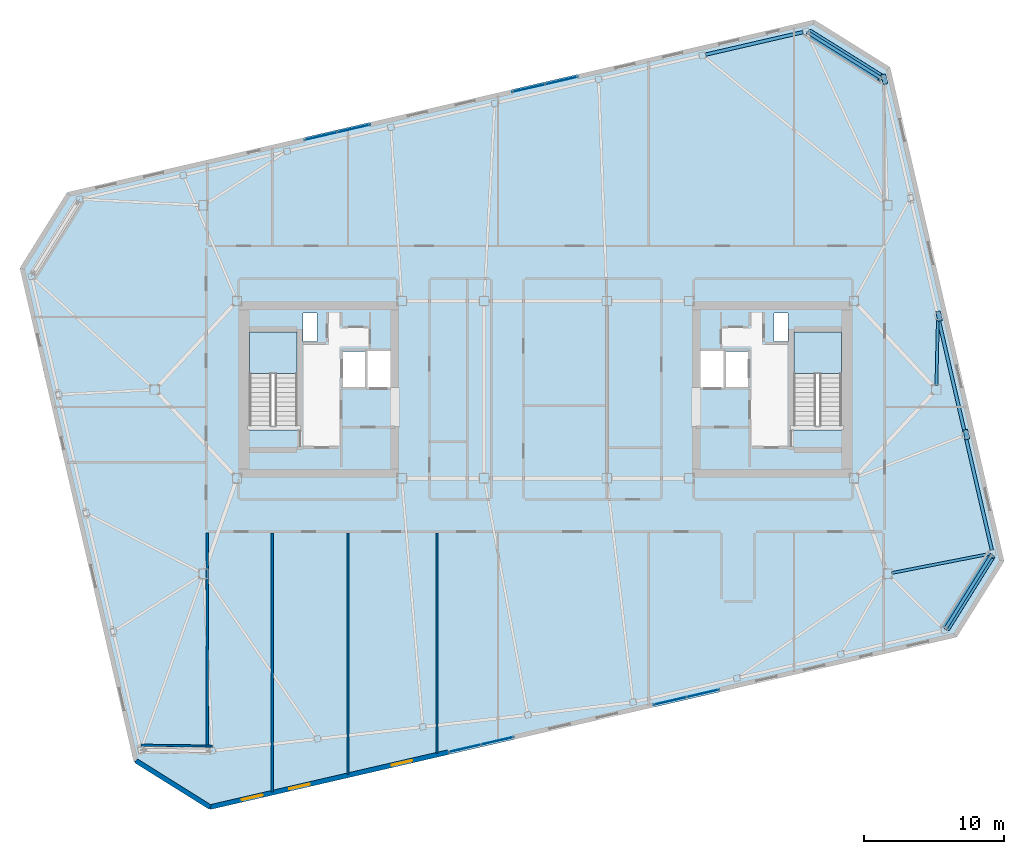
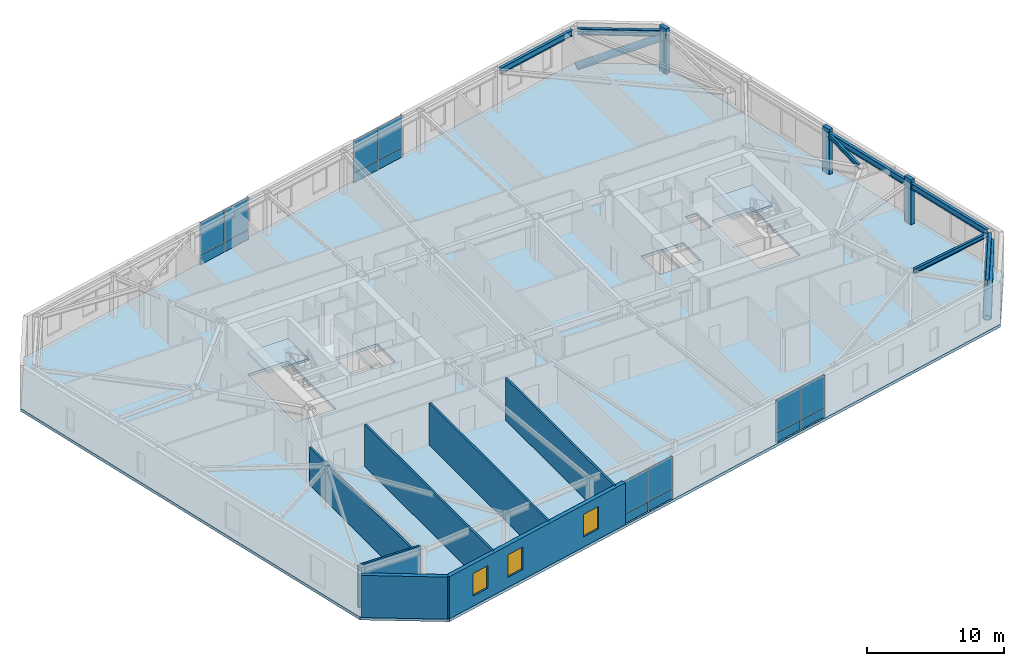
# One storey, part 15 of 23: 16 plates, 7 beams, 7 walls, 5 members, 3 slabs, 3 windows, 3 openings, 6 elements without a shape of their own.
"""IFC4 building model written with IfcOpenShell, lengths in metres."""

import ifcopenshell
import ifcopenshell.guid

model = None  # the IFC model being written
_history = None  # IfcOwnerHistory: only IFC2X3 demands one
_inside = {}  # id of a spatial element -> (the spatial element, [elements in it])
_under = {}  # id of a project, library or spatial element -> (it, [spatial elements below it])
_declared = {}  # id of a project -> (the project, [libraries it declares])
_typed = {}  # id of a type object -> (the type object, [elements of that type])
_made_of = {}  # id of a material, layer set ... -> (it, [elements and type objects made of it])


def new_model(schema):
    """Start an empty IFC model of exactly this schema.

    Asked for "IFC4X3", IfcOpenShell would pick the latest addendum, in which some entities
    have other attributes; the version numbers below select the first issue.
    IFC2X3 requires an IfcOwnerHistory on every rooted entity: one is made here for all.
    """
    global model, _history
    if schema == "IFC4X3":
        model = ifcopenshell.file(schema_version=(4, 3, 0, 0))
    else:
        model = ifcopenshell.file(schema=schema)
    _inside.clear()
    _under.clear()
    _declared.clear()
    _typed.clear()
    _made_of.clear()
    _history = None
    if model.schema == "IFC2X3":
        org = make("IfcOrganization", Name="unknown")
        user = make(
            "IfcPersonAndOrganization",
            ThePerson=make("IfcPerson", FamilyName="unknown"),
            TheOrganization=org,
        )
        app = make(
            "IfcApplication",
            ApplicationDeveloper=org,
            Version="unknown",
            ApplicationFullName="unknown",
            ApplicationIdentifier="unknown",
        )
        _history = make(
            "IfcOwnerHistory",
            OwningUser=user,
            OwningApplication=app,
            ChangeAction="ADDED",
            CreationDate=0,
        )
    return model


def make(cls, **values):
    """One entity of the class cls with the attributes given. An attribute that is None is left unset."""
    return model.create_entity(
        cls, **{name: value for name, value in values.items() if value is not None}
    )


def rooted(cls, **values):
    """An entity with a GlobalId (a new one), such as an element, a storey or a relation."""
    return make(cls, GlobalId=ifcopenshell.guid.new(), OwnerHistory=_history, **values)


def si_unit(unit_type, name, prefix=None):
    """IfcSIUnit, for example si_unit("LENGTHUNIT", "METRE", prefix="MILLI")."""
    return make("IfcSIUnit", UnitType=unit_type, Prefix=prefix, Name=name)


def assignment(units):
    """IfcUnitAssignment: the units of a project."""
    return None if units is None else make("IfcUnitAssignment", Units=units)


def point(xyz):
    """IfcCartesianPoint."""
    return None if xyz is None else make("IfcCartesianPoint", Coordinates=xyz)


def direction(xyz):
    """IfcDirection."""
    return None if xyz is None else make("IfcDirection", DirectionRatios=xyz)


def frame(location, z_axis=None, x_axis=None):
    """IfcAxis2Placement3D, a coordinate frame: its origin and axes. An axis left out is left unset."""
    return make(
        "IfcAxis2Placement3D",
        Location=point(location),
        Axis=direction(z_axis),
        RefDirection=direction(x_axis),
    )


def frame_2d(location, x_axis=None):
    """IfcAxis2Placement2D, a coordinate frame in the plane: its origin and x axis."""
    return make(
        "IfcAxis2Placement2D", Location=point(location), RefDirection=direction(x_axis)
    )


def origin():
    """The frame at (0, 0, 0) with its axes left unset."""
    return frame((0.0, 0.0, 0.0))


def origin_2d():
    """The frame at (0, 0) in the plane with its x axis left unset."""
    return frame_2d((0.0, 0.0))


def place(relative_to, where):
    """IfcLocalPlacement: puts the frame where relative to a parent placement (None: the world)."""
    return make(
        "IfcLocalPlacement", PlacementRelTo=relative_to, RelativePlacement=where
    )


def context(
    kind, dimensions, precision=None, world=None, true_north=None, identifier=None
):
    """IfcGeometricRepresentationContext, for example the 3D "Model" context."""
    return make(
        "IfcGeometricRepresentationContext",
        ContextIdentifier=identifier,
        ContextType=kind,
        CoordinateSpaceDimension=dimensions,
        Precision=precision,
        WorldCoordinateSystem=world,
        TrueNorth=true_north,
    )


def subcontext(parent, identifier, kind, view, scale=None):
    """IfcGeometricRepresentationSubContext, for example "Body" below "Model"."""
    return make(
        "IfcGeometricRepresentationSubContext",
        ContextIdentifier=identifier,
        ContextType=kind,
        ParentContext=parent,
        TargetScale=scale,
        TargetView=view,
    )


def project(units=None, contexts=None):
    """IfcProject with its units and contexts."""
    return rooted(
        "IfcProject",
        Name="project",
        RepresentationContexts=contexts,
        UnitsInContext=assignment(units),
    )


def spatial(cls, under=None, at=None, **own):
    """A site, building, storey or space (cls), placed at a placement, below another one or the project."""
    s = rooted(cls, ObjectPlacement=at, **own)
    if under is not None:
        _under.setdefault(under.id(), (under, []))[1].append(s)
    return s


def polyline(points):
    """IfcPolyline through the points."""
    return make("IfcPolyline", Points=[point(p) for p in points])


def profile(cls, at=None, kind="AREA", **sizes):
    """A parametric profile (cls). Its sizes go by their IFC names, for example OverallWidth=200.0."""
    return make(cls, ProfileType=kind, Position=at, **sizes)


def rectangle(**sizes):
    """IfcRectangleProfileDef."""
    return profile("IfcRectangleProfileDef", **sizes)


def hollow_circle(**sizes):
    """IfcCircleHollowProfileDef."""
    return profile("IfcCircleHollowProfileDef", **sizes)


def i_section(**sizes):
    """IfcIShapeProfileDef."""
    return profile("IfcIShapeProfileDef", **sizes)


def outline(outer, holes=None, kind="AREA"):
    """IfcArbitraryClosedProfileDef: a profile drawn as a closed curve; with holes, ...WithVoids."""
    if holes is None:
        return make("IfcArbitraryClosedProfileDef", ProfileType=kind, OuterCurve=outer)
    return make(
        "IfcArbitraryProfileDefWithVoids",
        ProfileType=kind,
        OuterCurve=outer,
        InnerCurves=holes,
    )


def extrude(swept, where, along, depth):
    """IfcExtrudedAreaSolid: the profile swept, set in the frame where, extruded along a direction by depth."""
    return make(
        "IfcExtrudedAreaSolid",
        SweptArea=swept,
        Position=where,
        ExtrudedDirection=direction(along),
        Depth=depth,
    )


def shape(context_of_items, identifier, shape_type, items):
    """IfcShapeRepresentation: the items that make up one representation, for example the "Body"."""
    return make(
        "IfcShapeRepresentation",
        ContextOfItems=context_of_items,
        RepresentationIdentifier=identifier,
        RepresentationType=shape_type,
        Items=items,
    )


def material(Name=None, Category=None):
    """IfcMaterial."""
    return make("IfcMaterial", Name=Name, Category=Category)


def layer(
    of_material, thickness, ventilated=None, Name=None, Category=None, Priority=None
):
    """IfcMaterialLayer: one layer of a wall or slab, of a material (None: an air gap)."""
    return make(
        "IfcMaterialLayer",
        Material=of_material,
        LayerThickness=thickness,
        IsVentilated=ventilated,
        Name=Name,
        Category=Category,
        Priority=Priority,
    )


def layer_set(layers, Name=None):
    """IfcMaterialLayerSet."""
    return make("IfcMaterialLayerSet", MaterialLayers=layers, LayerSetName=Name)


def material_profile(
    of_material, cross_section, Name=None, Category=None, Priority=None
):
    """IfcMaterialProfile: a cross section and its material."""
    return make(
        "IfcMaterialProfile",
        Name=Name,
        Material=of_material,
        Profile=cross_section,
        Priority=Priority,
        Category=Category,
    )


def profile_set(profiles, Name=None, composite=None):
    """IfcMaterialProfileSet."""
    return make(
        "IfcMaterialProfileSet",
        Name=Name,
        MaterialProfiles=profiles,
        CompositeProfile=composite,
    )


def made_of(thing, what):
    """Note that an element or type object is made of a material, layer set ...; save() writes the relation."""
    if what is not None:
        _made_of.setdefault(what.id(), (what, []))[1].append(thing)
    return thing


def type_object(cls, material=None, **own):
    """A type object (cls), such as IfcWallType, which elements share."""
    return made_of(rooted(cls, **own), material)


def element(
    cls,
    number,
    at=None,
    inside=None,
    cuts=None,
    type_object=None,
    material=None,
    context=None,
    identifier="Body",
    shape_type=None,
    held_by="IfcProductDefinitionShape",
    body=None,
    shapes=None,
    **own,
):
    """One element of the class cls, such as IfcWall. Its Tag is "e" and its number.

    at: its placement. inside: the storey or other place that contains it. cuts: it is an
    opening in that element (IfcRelVoidsElement). A single representation is given by context,
    identifier, shape_type and body (its items); several are given by shapes. held_by: the class
    of the entity that holds the representations. save() writes the other relations.
    """
    e = rooted(cls, Tag="e%d" % number, ObjectPlacement=at, **own)
    if body is not None:
        shapes = [shape(context, identifier, shape_type, body)]
    if shapes is not None:
        e.Representation = make(held_by, Representations=shapes)
    if inside is not None:
        _inside.setdefault(inside.id(), (inside, []))[1].append(e)
    if cuts is not None:
        rooted(
            "IfcRelVoidsElement", RelatingBuildingElement=cuts, RelatedOpeningElement=e
        )
    if type_object is not None:
        _typed.setdefault(type_object.id(), (type_object, []))[1].append(e)
    return made_of(e, material)


def fill(opening, filler):
    """IfcRelFillsElement: the door or window that sits in an opening."""
    return rooted(
        "IfcRelFillsElement",
        RelatingOpeningElement=opening,
        RelatedBuildingElement=filler,
    )


def aggregate(whole, parts):
    """IfcRelAggregates: a whole, such as a stair, and the parts it consists of."""
    return rooted("IfcRelAggregates", RelatingObject=whole, RelatedObjects=parts)


def save(model, path):
    """Write the relations noted so far, then the file.

    IfcRelAggregates (storeys below a building ...), IfcRelContainedInSpatialStructure (elements
    in a storey), IfcRelDefinesByType, IfcRelAssociatesMaterial and IfcRelDeclares: one each for
    every whole, place, type object, material and project.
    """
    for whole, parts in _under.values():
        aggregate(whole, parts)
    for where, things in _inside.values():
        rooted(
            "IfcRelContainedInSpatialStructure",
            RelatedElements=things,
            RelatingStructure=where,
        )
    for kind, things in _typed.values():
        rooted("IfcRelDefinesByType", RelatedObjects=things, RelatingType=kind)
    for what, things in _made_of.values():
        rooted("IfcRelAssociatesMaterial", RelatedObjects=things, RelatingMaterial=what)
    for by, libraries in _declared.values():
        rooted("IfcRelDeclares", RelatingContext=by, RelatedDefinitions=libraries)
    model.write(path)


model = new_model("IFC4")

# Units and contexts
model_context = context("Model", 3, precision=1e-05, world=origin(), true_north=direction((0.0, 1.0)))
body_context = subcontext(model_context, "Body", "Model", "MODEL_VIEW")
ifc_project = project(units=[si_unit("LENGTHUNIT", "METRE"), si_unit("AREAUNIT", "SQUARE_METRE"), si_unit("VOLUMEUNIT", "CUBIC_METRE"), si_unit("PLANEANGLEUNIT", "RADIAN"), si_unit("MASSUNIT", "GRAM", prefix="KILO")], contexts=[model_context])

# Site, building, storey
site_placement = place(None, origin())
site = spatial("IfcSite", under=ifc_project, at=site_placement, CompositionType="ELEMENT")
building_placement = place(site_placement, origin())
building = spatial("IfcBuilding", under=site, at=building_placement, Name="Tavrogorsk Clinical Tower", CompositionType="ELEMENT")
storey_placement = place(building_placement, frame((0.0, 0.0, 297.0)))
storey = spatial("IfcBuildingStorey", under=building, at=storey_placement, Name="L69", CompositionType="ELEMENT", Elevation=297.0)

# Members
ifc_material_1 = material(Name="Structural steel S440", Category="steel")
ifc_material_profile_1 = material_profile(ifc_material_1, hollow_circle(Radius=0.304931640625, WallThickness=0.02490234375, at=origin_2d()), Name="CHS-610x25")
ifc_profile_set_1 = profile_set([ifc_material_profile_1], Name="Structural steel S440")
member_type_1 = type_object("IfcMemberType", Name="ExoBrace_CHS610", PredefinedType="BRACE", material=ifc_profile_set_1)
for number, where, z_axis, x_axis, name in (
    (1, (28.70166015625, -17.063720703125, 0.393310546875), (0.485685891885, 0.777193135924, 0.40010004236), (-0.848027637525, 0.529952003481, 0.0), "L69 Corner Exoskeleton Brace S8-E1"),
    (2, (18.86279296875, 25.55322265625, 0.393310546875), (0.777221605895, -0.485643868835, 0.400095748531), (0.529905066536, 0.848056967697, 0.0), "L69 Corner Exoskeleton Brace E5-N1"),
):
    element("IfcMember", number, at=place(storey_placement, frame(where, z_axis=z_axis, x_axis=x_axis)), inside=storey, type_object=member_type_1, Name=name, PredefinedType="BRACE", context=body_context, shape_type="SweptSolid", body=[
        extrude(hollow_circle(Radius=0.304931640625, WallThickness=0.02490234375, at=origin_2d()), origin(), (0.0, 0.0, 1.0), 6.63232421875),
    ])

# Beams
ifc_material_2 = material(Name="Structural steel S355", Category="steel")
ifc_material_profile_2 = material_profile(ifc_material_2, i_section(OverallWidth=0.199951171875, OverallDepth=0.39990234375, WebThickness=0.010498046875, FlangeThickness=0.01611328125, at=origin_2d()), Name="B-400x200x10.5x16")
ifc_profile_set_2 = profile_set([ifc_material_profile_2], Name="Structural steel S355")
beam_type_1 = type_object("IfcBeamType", Name="FloorBeam_B400", PredefinedType="BEAM", material=ifc_profile_set_2)
beam_1_placement = place(storey_placement, frame((24.80419921875, -13.140625, 3.5400390625), z_axis=(0.981451198395, 0.191712141424, 0.0), x_axis=(-0.191712141424, 0.981451198395, 0.0)))
element("IfcBeam", 3, at=beam_1_placement, inside=storey, type_object=beam_type_1, Name="L69 Radial Floor Beam E1", PredefinedType="BEAM", context=body_context, shape_type="SweptSolid", body=[
    extrude(i_section(OverallWidth=0.199951171875, OverallDepth=0.39990234375, WebThickness=0.010498046875, FlangeThickness=0.01611328125, at=origin_2d()), origin(), (0.0, 0.0, 1.0), 7.13525390625),
])
beam_2_placement = place(storey_placement, frame((28.0068359375, 0.309814453125, 3.5400390625), z_axis=(0.022370062613, 0.999749758839, 0.0), x_axis=(-0.999749758839, 0.022370062613, 0.0)))
element("IfcBeam", 4, at=beam_2_placement, inside=storey, type_object=beam_type_1, Name="L69 Radial Floor Beam E3", PredefinedType="BEAM", context=body_context, shape_type="SweptSolid", body=[
    extrude(i_section(OverallWidth=0.199951171875, OverallDepth=0.39990234375, WebThickness=0.010498046875, FlangeThickness=0.01611328125, at=origin_2d()), origin(), (0.0, 0.0, 1.0), 4.703857421875),
])

# Members
ifc_material_3 = material(Name="Precast concrete B45 with limestone cladding", Category="masonry")
ifc_material_profile_3 = material_profile(ifc_material_3, rectangle(XDim=0.320068359375, YDim=0.719970703125, at=origin_2d()), Name="LIMESTONE-FIN-320x720")
ifc_profile_set_3 = profile_set([ifc_material_profile_3], Name="Precast concrete B45 with limestone cladding")
member_type_2 = type_object("IfcMemberType", Name="LimestonePleatFin_320x720", PredefinedType="USERDEFINED", material=ifc_profile_set_3)
for number, where, z_axis, x_axis, name in (
    (5, (30.154541015625, -3.223388671875, 0.0), (0.0, 0.0, 1.0), (0.974370064785, 0.224951054344, 0.0), "L69 E Pleated Stone Fin 1"),
    (6, (28.1953125, 5.263427734375, 0.0), (0.0, 0.0, 1.0), (0.974370064785, 0.224951054344, 0.0), "L69 E Pleated Stone Fin 2"),
    (7, (24.276611328125, 22.237060546875, 0.0), (0.0, 0.0, 1.0), (0.974370064785, 0.224951054344, 0.0), "L69 E Pleated Stone Fin 4"),
):
    element("IfcMember", number, at=place(storey_placement, frame(where, z_axis=z_axis, x_axis=x_axis)), inside=storey, type_object=member_type_2, Name=name, ObjectType="FIN", PredefinedType="USERDEFINED", context=body_context, shape_type="SweptSolid", body=[
        extrude(rectangle(XDim=0.320068359375, YDim=0.719970703125, at=origin_2d()), origin(), (0.0, 0.0, 1.0), 4.0),
    ])

# Beams
ifc_material_4 = material(Name="Structural steel S390", Category="steel")
ifc_material_profile_4 = material_profile(ifc_material_4, i_section(OverallWidth=0.239990234375, OverallDepth=0.550048828125, WebThickness=0.013916015625, FlangeThickness=0.02197265625, at=origin_2d()), Name="B-550x240x14x22")
ifc_profile_set_4 = profile_set([ifc_material_profile_4], Name="Structural steel S390")
beam_type_2 = type_object("IfcBeamType", Name="SpandrelBeam_B550", PredefinedType="SPANDREL", material=ifc_profile_set_4)
beam_3_placement = place(storey_placement, frame((28.712158203125, -17.04736328125, 3.465087890625), z_axis=(0.529904457892, 0.848057348006, 0.0), x_axis=(-0.848057348006, 0.529904457892, 0.0)))
element("IfcBeam", 8, at=beam_3_placement, inside=storey, type_object=beam_type_2, Name="L69 Perimeter Spandrel S8-E1", PredefinedType="SPANDREL", context=body_context, shape_type="SweptSolid", body=[
    extrude(i_section(OverallWidth=0.239990234375, OverallDepth=0.550048828125, WebThickness=0.013916015625, FlangeThickness=0.02197265625, at=origin_2d()), origin(), (0.0, 0.0, 1.0), 6.039306640625),
])
for number, where, z_axis, x_axis, name in (
    (9, (31.9833984375, -11.5009765625, 3.465087890625), (-0.224950345141, 0.974370228517, 0.0), (-0.974370228517, -0.224950345141, 0.0), "L69 Perimeter Spandrel E1-E2"),
    (10, (30.024169921875, -3.01416015625, 3.465087890625), (-0.224950345141, 0.974370228517, 0.0), (-0.974370228517, -0.224950345141, 0.0), "L69 Perimeter Spandrel E2-E3"),
):
    element("IfcBeam", number, at=place(storey_placement, frame(where, z_axis=z_axis, x_axis=x_axis)), inside=storey, type_object=beam_type_2, Name=name, PredefinedType="SPANDREL", context=body_context, shape_type="SweptSolid", body=[
        extrude(i_section(OverallWidth=0.239990234375, OverallDepth=0.550048828125, WebThickness=0.013916015625, FlangeThickness=0.02197265625, at=origin_2d()), origin(), (0.0, 0.0, 1.0), 8.243896484375),
    ])
beam_4_placement = place(storey_placement, frame((24.0009765625, 22.342529296875, 3.465087890625), z_axis=(-0.848057348006, 0.529904457892, 0.0), x_axis=(-0.529904457892, -0.848057348006, 0.0)))
element("IfcBeam", 11, at=beam_4_placement, inside=storey, type_object=beam_type_2, Name="L69 Perimeter Spandrel E5-N1", PredefinedType="SPANDREL", context=body_context, shape_type="SweptSolid", body=[
    extrude(i_section(OverallWidth=0.239990234375, OverallDepth=0.550048828125, WebThickness=0.013916015625, FlangeThickness=0.02197265625, at=origin_2d()), origin(), (0.0, 0.0, 1.0), 6.039306640625),
])
beam_5_placement = place(storey_placement, frame((18.45458984375, 25.61376953125, 3.465087890625), z_axis=(-0.974375120167, -0.224929155956, 0.0), x_axis=(0.224929155956, -0.974375120167, 0.0)))
element("IfcBeam", 12, at=beam_5_placement, inside=storey, type_object=beam_type_2, Name="L69 Perimeter Spandrel N1-N2", PredefinedType="SPANDREL", context=body_context, shape_type="SweptSolid", body=[
    extrude(i_section(OverallWidth=0.239990234375, OverallDepth=0.550048828125, WebThickness=0.013916015625, FlangeThickness=0.02197265625, at=origin_2d()), origin(), (0.0, 0.0, 1.0), 7.16796875),
])

# Curtain wall, plates
ifc_material_5 = material(Name="Anodised aluminium and triple IGU glazing", Category="aluminium")
ifc_layer_1 = layer(ifc_material_5, 0.179931640625)
ifc_layer_set_1 = layer_set([ifc_layer_1], Name="Anodised aluminium and triple IGU glazing")
curtain_wall_type_1 = type_object("IfcCurtainWallType", Name="CW3_SouthSlot", PredefinedType="NOTDEFINED", material=ifc_layer_set_1)
curtain_wall_1_placement = place(storey_placement, origin())
curtain_wall_1 = element("IfcCurtainWall", 13, at=curtain_wall_1_placement, inside=storey, type_object=curtain_wall_type_1, Name="L69 Curtain Wall CW-L69-S-SLOT-1", PredefinedType="NOTDEFINED")
ifc_material_6 = material(Name="Honed Podolsk limestone spandrel panel", Category="masonry")
ifc_layer_2 = layer(ifc_material_6, 0.080078125)
ifc_layer_set_2 = layer_set([ifc_layer_2], Name="Honed Podolsk limestone spandrel panel")
plate_type_1 = type_object("IfcPlateType", Name="CwSpandrelStonePanel_80", PredefinedType="CURTAIN_PANEL", material=ifc_layer_set_2)
plate_1_placement = place(storey_placement, frame((-5.810546875, -25.7099609375, 0.001953125), z_axis=(0.0, 0.0, 1.0), x_axis=(0.974370057377, 0.224951086434, 0.0)))
plate_1 = element("IfcPlate", 14, at=plate_1_placement, type_object=plate_type_1, Name="CW-L69-S-SLOT-1 Stone Spandrel Panel 1", PredefinedType="CURTAIN_PANEL", context=body_context, shape_type="SweptSolid", body=[
    extrude(rectangle(XDim=2.39208984375, YDim=0.080078125, at=origin_2d()), origin(), (0.0, 0.0, 1.0), 0.8359375),
])
plate_2_placement = place(storey_placement, frame((-3.45654296875, -25.16650390625, 0.001953125), z_axis=(0.0, 0.0, 1.0), x_axis=(0.974370057377, 0.224951086434, 0.0)))
plate_2 = element("IfcPlate", 15, at=plate_2_placement, type_object=plate_type_1, Name="CW-L69-S-SLOT-1 Stone Spandrel Panel 2", PredefinedType="CURTAIN_PANEL", context=body_context, shape_type="SweptSolid", body=[
    extrude(rectangle(XDim=2.39208984375, YDim=0.080078125, at=origin_2d()), origin(), (0.0, 0.0, 1.0), 0.8359375),
])

curtain_wall_2_placement = place(storey_placement, origin())
curtain_wall_2 = element("IfcCurtainWall", 16, at=curtain_wall_2_placement, inside=storey, type_object=curtain_wall_type_1, Name="L69 Curtain Wall CW-L69-S-SLOT-2", PredefinedType="NOTDEFINED")
plate_3_placement = place(storey_placement, frame((8.9296875, -22.306884765625, 0.001953125), z_axis=(0.0, 0.0, 1.0), x_axis=(0.974370057377, 0.224951086434, 0.0)))
plate_3 = element("IfcPlate", 17, at=plate_3_placement, type_object=plate_type_1, Name="CW-L69-S-SLOT-2 Stone Spandrel Panel 1", PredefinedType="CURTAIN_PANEL", context=body_context, shape_type="SweptSolid", body=[
    extrude(rectangle(XDim=2.39208984375, YDim=0.080078125, at=origin_2d()), origin(), (0.0, 0.0, 1.0), 0.8359375),
])
plate_4_placement = place(storey_placement, frame((11.28369140625, -21.763427734375, 0.001953125), z_axis=(0.0, 0.0, 1.0), x_axis=(0.974370057377, 0.224951086434, 0.0)))
plate_4 = element("IfcPlate", 18, at=plate_4_placement, type_object=plate_type_1, Name="CW-L69-S-SLOT-2 Stone Spandrel Panel 2", PredefinedType="CURTAIN_PANEL", context=body_context, shape_type="SweptSolid", body=[
    extrude(rectangle(XDim=2.39208984375, YDim=0.080078125, at=origin_2d()), origin(), (0.0, 0.0, 1.0), 0.8359375),
])

ifc_material_7 = material(Name="Anodised aluminium and triple IGU glazing", Category="aluminium")
ifc_layer_3 = layer(ifc_material_7, 0.179931640625)
ifc_layer_set_3 = layer_set([ifc_layer_3], Name="Anodised aluminium and triple IGU glazing")
curtain_wall_type_2 = type_object("IfcCurtainWallType", Name="CW2_NorthSlot", PredefinedType="NOTDEFINED", material=ifc_layer_set_3)
curtain_wall_3_placement = place(storey_placement, origin())
curtain_wall_3 = element("IfcCurtainWall", 19, at=curtain_wall_3_placement, inside=storey, type_object=curtain_wall_type_2, Name="L69 Curtain Wall CW-L69-N-SLOT-1", PredefinedType="NOTDEFINED")
plate_5_placement = place(storey_placement, frame((-13.729736328125, 18.70703125, 0.001953125), z_axis=(0.0, 0.0, 1.0), x_axis=(-0.974370057377, -0.224951086434, 0.0)))
plate_5 = element("IfcPlate", 20, at=plate_5_placement, type_object=plate_type_1, Name="CW-L69-N-SLOT-1 Stone Spandrel Panel 1", PredefinedType="CURTAIN_PANEL", context=body_context, shape_type="SweptSolid", body=[
    extrude(rectangle(XDim=2.39208984375, YDim=0.080078125, at=origin_2d()), origin(), (0.0, 0.0, 1.0), 0.8359375),
])
plate_6_placement = place(storey_placement, frame((-16.083740234375, 18.16357421875, 0.001953125), z_axis=(0.0, 0.0, 1.0), x_axis=(-0.974370057377, -0.224951086434, 0.0)))
plate_6 = element("IfcPlate", 21, at=plate_6_placement, type_object=plate_type_1, Name="CW-L69-N-SLOT-1 Stone Spandrel Panel 2", PredefinedType="CURTAIN_PANEL", context=body_context, shape_type="SweptSolid", body=[
    extrude(rectangle(XDim=2.39208984375, YDim=0.080078125, at=origin_2d()), origin(), (0.0, 0.0, 1.0), 0.8359375),
])

curtain_wall_4_placement = place(storey_placement, origin())
curtain_wall_4 = element("IfcCurtainWall", 22, at=curtain_wall_4_placement, inside=storey, type_object=curtain_wall_type_2, Name="L69 Curtain Wall CW-L69-N-SLOT-2", PredefinedType="NOTDEFINED")
plate_7_placement = place(storey_placement, frame((1.1474609375, 22.1416015625, 0.001953125), z_axis=(0.0, 0.0, 1.0), x_axis=(-0.974370092441, -0.224950934554, 0.0)))
plate_7 = element("IfcPlate", 23, at=plate_7_placement, type_object=plate_type_1, Name="CW-L69-N-SLOT-2 Stone Spandrel Panel 1", PredefinedType="CURTAIN_PANEL", context=body_context, shape_type="SweptSolid", body=[
    extrude(rectangle(XDim=2.39208984375, YDim=0.080078125, at=origin_2d()), origin(), (0.0, 0.0, 1.0), 0.8359375),
])
plate_8_placement = place(storey_placement, frame((-1.20654296875, 21.59814453125, 0.001953125), z_axis=(0.0, 0.0, 1.0), x_axis=(-0.974370092441, -0.224950934554, 0.0)))
plate_8 = element("IfcPlate", 24, at=plate_8_placement, type_object=plate_type_1, Name="CW-L69-N-SLOT-2 Stone Spandrel Panel 2", PredefinedType="CURTAIN_PANEL", context=body_context, shape_type="SweptSolid", body=[
    extrude(rectangle(XDim=2.39208984375, YDim=0.080078125, at=origin_2d()), origin(), (0.0, 0.0, 1.0), 0.8359375),
])

# Plate
ifc_material_8 = material(Name="Triple low-E argon insulated glass", Category="glass")
ifc_layer_4 = layer(ifc_material_8, 0.048095703125)
ifc_layer_set_4 = layer_set([ifc_layer_4], Name="Triple low-E argon insulated glass")
plate_type_2 = type_object("IfcPlateType", Name="CwVisionGlassPanel_48", PredefinedType="CURTAIN_PANEL", material=ifc_layer_set_4)
plate_9_placement = place(storey_placement, frame((-5.810546875, -25.7099609375, 0.862060546875), z_axis=(0.0, 0.0, 1.0), x_axis=(0.974370057377, 0.224951086434, 0.0)))
plate_9 = element("IfcPlate", 25, at=plate_9_placement, type_object=plate_type_2, Name="CW-L69-S-SLOT-1 Glazing Panel 1", PredefinedType="CURTAIN_PANEL", context=body_context, shape_type="SweptSolid", body=[
    extrude(rectangle(XDim=2.39208984375, YDim=0.048095703125, at=origin_2d()), origin(), (0.0, 0.0, 1.0), 2.8759765625),
])

plate_10_placement = place(storey_placement, frame((-3.45654296875, -25.16650390625, 0.862060546875), z_axis=(0.0, 0.0, 1.0), x_axis=(0.974370057377, 0.224951086434, 0.0)))
plate_10 = element("IfcPlate", 26, at=plate_10_placement, type_object=plate_type_2, Name="CW-L69-S-SLOT-1 Glazing Panel 2", PredefinedType="CURTAIN_PANEL", context=body_context, shape_type="SweptSolid", body=[
    extrude(rectangle(XDim=2.39208984375, YDim=0.048095703125, at=origin_2d()), origin(), (0.0, 0.0, 1.0), 2.8759765625),
])

aggregate(curtain_wall_1, [plate_1, plate_9, plate_2, plate_10])

plate_11_placement = place(storey_placement, frame((8.9296875, -22.306884765625, 0.862060546875), z_axis=(0.0, 0.0, 1.0), x_axis=(0.974370057377, 0.224951086434, 0.0)))
plate_11 = element("IfcPlate", 27, at=plate_11_placement, type_object=plate_type_2, Name="CW-L69-S-SLOT-2 Glazing Panel 1", PredefinedType="CURTAIN_PANEL", context=body_context, shape_type="SweptSolid", body=[
    extrude(rectangle(XDim=2.39208984375, YDim=0.048095703125, at=origin_2d()), origin(), (0.0, 0.0, 1.0), 2.8759765625),
])

plate_12_placement = place(storey_placement, frame((11.28369140625, -21.763427734375, 0.862060546875), z_axis=(0.0, 0.0, 1.0), x_axis=(0.974370057377, 0.224951086434, 0.0)))
plate_12 = element("IfcPlate", 28, at=plate_12_placement, type_object=plate_type_2, Name="CW-L69-S-SLOT-2 Glazing Panel 2", PredefinedType="CURTAIN_PANEL", context=body_context, shape_type="SweptSolid", body=[
    extrude(rectangle(XDim=2.39208984375, YDim=0.048095703125, at=origin_2d()), origin(), (0.0, 0.0, 1.0), 2.8759765625),
])

aggregate(curtain_wall_2, [plate_3, plate_11, plate_4, plate_12])

plate_13_placement = place(storey_placement, frame((-13.729736328125, 18.70703125, 0.862060546875), z_axis=(0.0, 0.0, 1.0), x_axis=(-0.974370057377, -0.224951086434, 0.0)))
plate_13 = element("IfcPlate", 29, at=plate_13_placement, type_object=plate_type_2, Name="CW-L69-N-SLOT-1 Glazing Panel 1", PredefinedType="CURTAIN_PANEL", context=body_context, shape_type="SweptSolid", body=[
    extrude(rectangle(XDim=2.39208984375, YDim=0.048095703125, at=origin_2d()), origin(), (0.0, 0.0, 1.0), 2.8759765625),
])

plate_14_placement = place(storey_placement, frame((-16.083740234375, 18.16357421875, 0.862060546875), z_axis=(0.0, 0.0, 1.0), x_axis=(-0.974370057377, -0.224951086434, 0.0)))
plate_14 = element("IfcPlate", 30, at=plate_14_placement, type_object=plate_type_2, Name="CW-L69-N-SLOT-1 Glazing Panel 2", PredefinedType="CURTAIN_PANEL", context=body_context, shape_type="SweptSolid", body=[
    extrude(rectangle(XDim=2.39208984375, YDim=0.048095703125, at=origin_2d()), origin(), (0.0, 0.0, 1.0), 2.8759765625),
])

aggregate(curtain_wall_3, [plate_5, plate_13, plate_6, plate_14])

plate_15_placement = place(storey_placement, frame((1.1474609375, 22.1416015625, 0.862060546875), z_axis=(0.0, 0.0, 1.0), x_axis=(-0.974370092441, -0.224950934554, 0.0)))
plate_15 = element("IfcPlate", 31, at=plate_15_placement, type_object=plate_type_2, Name="CW-L69-N-SLOT-2 Glazing Panel 1", PredefinedType="CURTAIN_PANEL", context=body_context, shape_type="SweptSolid", body=[
    extrude(rectangle(XDim=2.39208984375, YDim=0.048095703125, at=origin_2d()), origin(), (0.0, 0.0, 1.0), 2.8759765625),
])

plate_16_placement = place(storey_placement, frame((-1.20654296875, 21.59814453125, 0.862060546875), z_axis=(0.0, 0.0, 1.0), x_axis=(-0.974370092441, -0.224950934554, 0.0)))
plate_16 = element("IfcPlate", 32, at=plate_16_placement, type_object=plate_type_2, Name="CW-L69-N-SLOT-2 Glazing Panel 2", PredefinedType="CURTAIN_PANEL", context=body_context, shape_type="SweptSolid", body=[
    extrude(rectangle(XDim=2.39208984375, YDim=0.048095703125, at=origin_2d()), origin(), (0.0, 0.0, 1.0), 2.8759765625),
])

aggregate(curtain_wall_4, [plate_7, plate_15, plate_8, plate_16])

# Stair, slab
ifc_material_9 = material(Name="Concrete B60", Category="concrete")
stair_type = type_object("IfcStairType", Name="CoreStairAssembly", PredefinedType="HALF_TURN_STAIR", material=ifc_material_9)
stair_1_placement = place(storey_placement, origin())
stair_1 = element("IfcStair", 33, at=stair_1_placement, inside=storey, type_object=stair_type, Name="L69 ST-W", PredefinedType="HALF_TURN_STAIR")
ifc_material_10 = material(Name="Concrete B60", Category="concrete")
ifc_layer_5 = layer(ifc_material_10, 0.199951171875)
ifc_layer_set_5 = layer_set([ifc_layer_5], Name="Concrete B60")
slab_type_1 = type_object("IfcSlabType", Name="StairLanding_200", PredefinedType="LANDING", material=ifc_layer_set_5)
slab_1_placement = place(storey_placement, frame((0.0, 0.0, 1.800048828125)))
slab_1 = element("IfcSlab", 34, at=slab_1_placement, type_object=slab_type_1, Name="ST-W landing 1", PredefinedType="LANDING", context=body_context, shape_type="SweptSolid", body=[
    extrude(outline(polyline([(-17.800048828125, 1.1650390625), (-17.800048828125, 4.125), (-21.199951171875, 4.125), (-21.199951171875, 1.1650390625), (-17.800048828125, 1.1650390625)])), origin(), (0.0, 0.0, 1.0), 0.199951171875),
])
aggregate(stair_1, [slab_1])

stair_2_placement = place(storey_placement, origin())
stair_2 = element("IfcStair", 35, at=stair_2_placement, inside=storey, type_object=stair_type, Name="L69 ST-E", PredefinedType="HALF_TURN_STAIR")
slab_2_placement = place(storey_placement, frame((0.0, 0.0, 1.800048828125)))
slab_2 = element("IfcSlab", 36, at=slab_2_placement, type_object=slab_type_1, Name="ST-E landing 1", PredefinedType="LANDING", context=body_context, shape_type="SweptSolid", body=[
    extrude(outline(polyline([(21.199951171875, 1.1650390625), (21.199951171875, 4.125), (17.800048828125, 4.125), (17.800048828125, 1.1650390625), (21.199951171875, 1.1650390625)])), origin(), (0.0, 0.0, 1.0), 0.199951171875),
])
aggregate(stair_2, [slab_2])

# Slab
ifc_material_11 = material(Name="Concrete B60", Category="concrete")
ifc_layer_6 = layer(ifc_material_11, 0.260009765625)
ifc_layer_set_6 = layer_set([ifc_layer_6], Name="Concrete B60")
slab_type_2 = type_object("IfcSlabType", Name="WardSlab_260", PredefinedType="FLOOR", material=ifc_layer_set_6)
slab_3_placement = place(storey_placement, frame((0.0, 0.0, -0.260009765625)))
element("IfcSlab", 37, at=slab_3_placement, inside=storey, type_object=slab_type_2, Name="L69 Structural Slab", PredefinedType="FLOOR", context=body_context, shape_type="SweptSolid", body=[
    extrude(outline(polyline([(-23.991455078125, -30.081787109375), (29.404052734375, -17.75439453125), (32.8515625, -12.23779296875), (24.708251953125, 23.034423828125), (19.19140625, 26.48193359375), (-34.2041015625, 14.154541015625), (-37.651611328125, 8.6376953125), (-29.50830078125, -26.634521484375), (-23.991455078125, -30.081787109375)]), holes=[polyline([(-17.800048828125, -2.8798828125), (-17.800048828125, 4.125), (-21.199951171875, 4.125), (-21.199951171875, -2.8798828125), (-17.800048828125, -2.8798828125)]), polyline([(21.199951171875, -2.8798828125), (21.199951171875, 4.125), (17.800048828125, 4.125), (17.800048828125, -2.8798828125), (21.199951171875, -2.8798828125)]), polyline([(-14.6201171875, 0.169921875), (-12.860107421875, 0.169921875), (-12.860107421875, 2.72998046875), (-14.6201171875, 2.72998046875), (-14.6201171875, 0.169921875)]), polyline([(-12.840087890625, 0.1201171875), (-11.080078125, 0.1201171875), (-11.080078125, 2.780029296875), (-12.840087890625, 2.780029296875), (-12.840087890625, 0.1201171875)]), polyline([(12.860107421875, 0.169921875), (14.6201171875, 0.169921875), (14.6201171875, 2.72998046875), (12.860107421875, 2.72998046875), (12.860107421875, 0.169921875)]), polyline([(11.080078125, 0.1201171875), (12.840087890625, 0.1201171875), (12.840087890625, 2.780029296875), (11.080078125, 2.780029296875), (11.080078125, 0.1201171875)]), polyline([(-17.3798828125, 3.449951171875), (-16.3798828125, 3.449951171875), (-16.3798828125, 5.5), (-17.3798828125, 5.5), (-17.3798828125, 3.449951171875)]), polyline([(16.3798828125, 3.449951171875), (17.3798828125, 3.449951171875), (17.3798828125, 5.5), (16.3798828125, 5.5), (16.3798828125, 3.449951171875)])]), origin(), (0.0, 0.0, 1.0), 0.260009765625),
])

# Walls
ifc_material_12 = material(Name="Lightweight concrete blockwork B15", Category="masonry")
ifc_layer_7 = layer(ifc_material_12, 0.159912109375)
ifc_layer_set_7 = layer_set([ifc_layer_7], Name="Lightweight concrete blockwork B15")
wall_type_1 = type_object("IfcWallType", Name="PartitionWall_160", PredefinedType="PARTITIONING", material=ifc_layer_set_7)
wall_1_placement = place(storey_placement, frame((-28.994140625, -25.47900390625, 0.0), z_axis=(0.0, 0.0, 1.0), x_axis=(0.999915052546, -0.01303409726, 0.0)))
element("IfcWall", 38, at=wall_1_placement, inside=storey, type_object=wall_type_1, Name="L69 Corner Exoskeleton Brace Furring Wall 4", PredefinedType="PARTITIONING", context=body_context, shape_type="SweptSolid", body=[
    extrude(rectangle(XDim=5.13232421875, YDim=0.159912109375, at=frame_2d((2.566162109375, 0.0))), origin(), (0.0, 0.0, 1.0), 3.739990234375),
])
wall_2_placement = place(storey_placement, frame((-24.22998046875, -25.535888671875, 0.0), z_axis=(0.0, 0.0, 1.0), x_axis=(0.0, 1.0, 0.0)))
element("IfcWall", 39, at=wall_2_placement, inside=storey, type_object=wall_type_1, Name="L69 SW Wing Closure Partition", PredefinedType="PARTITIONING", context=body_context, shape_type="SweptSolid", body=[
    extrude(rectangle(XDim=15.27099609375, YDim=0.159912109375, at=frame_2d((7.635498046875, 0.0))), origin(), (0.0, 0.0, 1.0), 3.3349609375),
])
wall_3_placement = place(storey_placement, frame((-19.580078125, -28.817138671875, 0.0), z_axis=(0.0, 0.0, 1.0), x_axis=(0.0, 1.0, 0.0)))
element("IfcWall", 40, at=wall_3_placement, inside=storey, type_object=wall_type_1, Name="L69 South Room Partition 1", PredefinedType="PARTITIONING", context=body_context, shape_type="SweptSolid", body=[
    extrude(rectangle(XDim=18.55224609375, YDim=0.159912109375, at=frame_2d((9.276123046875, 0.0))), origin(), (0.0, 0.0, 1.0), 3.739990234375),
])
wall_4_placement = place(storey_placement, frame((-14.159912109375, -27.56591796875, 0.0), z_axis=(0.0, 0.0, 1.0), x_axis=(0.0, 1.0, 0.0)))
element("IfcWall", 41, at=wall_4_placement, inside=storey, type_object=wall_type_1, Name="L69 South Room Partition 2", PredefinedType="PARTITIONING", context=body_context, shape_type="SweptSolid", body=[
    extrude(rectangle(XDim=17.301025390625, YDim=0.159912109375, at=frame_2d((8.650390625, 0.0))), origin(), (0.0, 0.0, 1.0), 3.739990234375),
])
wall_5_placement = place(storey_placement, frame((-7.77001953125, -26.090576171875, 0.0), z_axis=(0.0, 0.0, 1.0), x_axis=(0.0, 1.0, 0.0)))
element("IfcWall", 42, at=wall_5_placement, inside=storey, type_object=wall_type_1, Name="L69 South Sub-Partition 3", PredefinedType="PARTITIONING", context=body_context, shape_type="SweptSolid", body=[
    extrude(rectangle(XDim=15.82568359375, YDim=0.159912109375, at=frame_2d((7.912841796875, 0.0))), origin(), (0.0, 0.0, 1.0), 3.739990234375),
])

# Wall, openings, windows
ifc_material_13 = material(Name="Precast concrete B45 with limestone cladding", Category="masonry")
ifc_layer_8 = layer(ifc_material_13, 0.340087890625)
ifc_layer_set_8 = layer_set([ifc_layer_8], Name="Precast concrete B45 with limestone cladding")
wall_type_2 = type_object("IfcWallType", Name="PrecastLimestoneWall_340", PredefinedType="STANDARD", material=ifc_layer_set_8)
wall_6_placement = place(storey_placement, frame((-24.029541015625, -29.916259765625, 0.0), z_axis=(0.0, 0.0, 1.0), x_axis=(0.974370978061, 0.224947098473, 0.0)))
wall_6 = element("IfcWall", 43, at=wall_6_placement, inside=storey, type_object=wall_type_2, Name="L69 S Limestone Facade Wall 1", PredefinedType="STANDARD", context=body_context, shape_type="SweptSolid", body=[
    extrude(rectangle(XDim=17.50634765625, YDim=0.340087890625, at=frame_2d((8.753173828125, 0.0))), origin(), (0.0, 0.0, 1.0), 3.739990234375),
])
opening_1_placement = place(wall_6_placement, frame((2.35009765625, 0.0, 0.89990234375)))
opening_1 = element("IfcOpeningElement", 44, at=opening_1_placement, cuts=wall_6, Name="Opening WN-05", PredefinedType="OPENING", context=body_context, shape_type="SweptSolid", body=[
    extrude(rectangle(XDim=1.5, YDim=2.0, at=frame_2d((0.75, 1.0))), frame((0.0, 0.179931640625, 0.0), z_axis=(0.0, -1.0, 0.0), x_axis=(1.0, 0.0, 0.0)), (0.0, 0.0, 1.0), 0.360107421875),
])
opening_2_placement = place(wall_6_placement, frame((5.81689453125, 0.0, 0.89990234375)))
opening_2 = element("IfcOpeningElement", 45, at=opening_2_placement, cuts=wall_6, Name="Opening WN-05", PredefinedType="OPENING", context=body_context, shape_type="SweptSolid", body=[
    extrude(rectangle(XDim=1.5, YDim=2.0, at=frame_2d((0.75, 1.0))), frame((0.0, 0.179931640625, 0.0), z_axis=(0.0, -1.0, 0.0), x_axis=(1.0, 0.0, 0.0)), (0.0, 0.0, 1.0), 0.360107421875),
])
opening_3_placement = place(wall_6_placement, frame((13.353271484375, 0.0, 0.89990234375)))
opening_3 = element("IfcOpeningElement", 46, at=opening_3_placement, cuts=wall_6, Name="Opening WN-05", PredefinedType="OPENING", context=body_context, shape_type="SweptSolid", body=[
    extrude(rectangle(XDim=1.5, YDim=2.0, at=frame_2d((0.75, 1.0))), frame((0.0, 0.179931640625, 0.0), z_axis=(0.0, -1.0, 0.0), x_axis=(1.0, 0.0, 0.0)), (0.0, 0.0, 1.0), 0.360107421875),
])
ifc_material_14 = material(Name="Thermally broken aluminium frame and triple IGU", Category="aluminium")
window_type = type_object("IfcWindowType", Name="ConsultWin_1500x2000", PartitioningType="SINGLE_PANEL", PredefinedType="WINDOW", material=ifc_material_14)
window_1_placement = place(opening_1_placement, origin())
window_1 = element("IfcWindow", 47, at=window_1_placement, inside=storey, type_object=window_type, Name="L69 S Chicago Window 01", OverallHeight=2.0, OverallWidth=1.5, PartitioningType="SINGLE_PANEL", PredefinedType="WINDOW", context=body_context, shape_type="SweptSolid", body=[
    extrude(rectangle(XDim=1.5, YDim=2.0, at=frame_2d((0.75, 1.0))), frame((0.0, 0.030029296875, 0.0), z_axis=(0.0, -1.0, 0.0), x_axis=(1.0, 0.0, 0.0)), (0.0, 0.0, 1.0), 0.06005859375),
])
fill(opening_1, window_1)
window_2_placement = place(opening_2_placement, origin())
window_2 = element("IfcWindow", 48, at=window_2_placement, inside=storey, type_object=window_type, Name="L69 S Chicago Window 02", OverallHeight=2.0, OverallWidth=1.5, PartitioningType="SINGLE_PANEL", PredefinedType="WINDOW", context=body_context, shape_type="SweptSolid", body=[
    extrude(rectangle(XDim=1.5, YDim=2.0, at=frame_2d((0.75, 1.0))), frame((0.0, 0.030029296875, 0.0), z_axis=(0.0, -1.0, 0.0), x_axis=(1.0, 0.0, 0.0)), (0.0, 0.0, 1.0), 0.06005859375),
])
fill(opening_2, window_2)
window_3_placement = place(opening_3_placement, origin())
window_3 = element("IfcWindow", 49, at=window_3_placement, inside=storey, type_object=window_type, Name="L69 S Chicago Window 04", OverallHeight=2.0, OverallWidth=1.5, PartitioningType="SINGLE_PANEL", PredefinedType="WINDOW", context=body_context, shape_type="SweptSolid", body=[
    extrude(rectangle(XDim=1.5, YDim=2.0, at=frame_2d((0.75, 1.0))), frame((0.0, 0.030029296875, 0.0), z_axis=(0.0, -1.0, 0.0), x_axis=(1.0, 0.0, 0.0)), (0.0, 0.0, 1.0), 0.06005859375),
])
fill(opening_3, window_3)

# Wall
wall_7_placement = place(storey_placement, frame((-29.342529296875, -26.59619140625, 0.0), z_axis=(0.0, 0.0, 1.0), x_axis=(0.848037708252, -0.529935887993, 0.0)))
element("IfcWall", 50, at=wall_7_placement, inside=storey, type_object=wall_type_2, Name="L69 Chamfered Corner Wall 4", PredefinedType="STANDARD", context=body_context, shape_type="SweptSolid", body=[
    extrude(rectangle(XDim=6.26513671875, YDim=0.340087890625, at=frame_2d((3.132568359375, 0.0))), origin(), (0.0, 0.0, 1.0), 3.739990234375),
])

save(model, "model.ifc")
